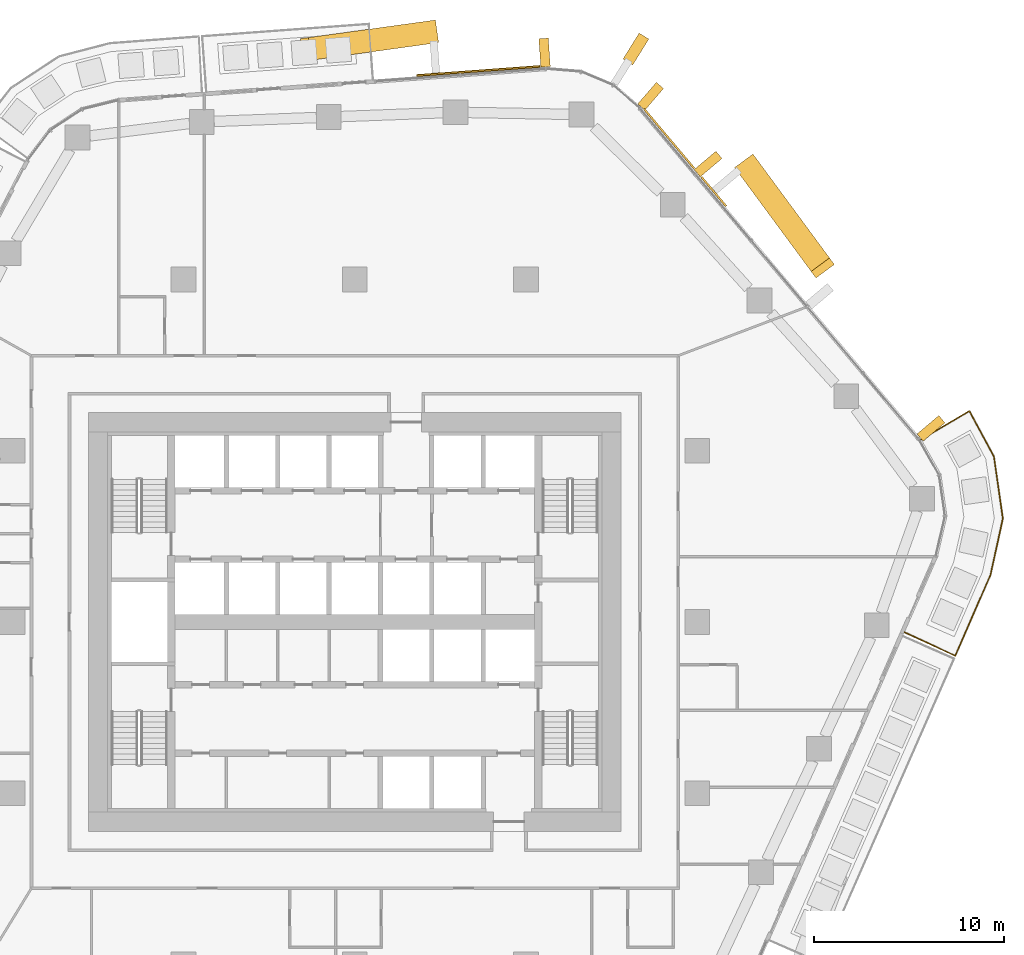
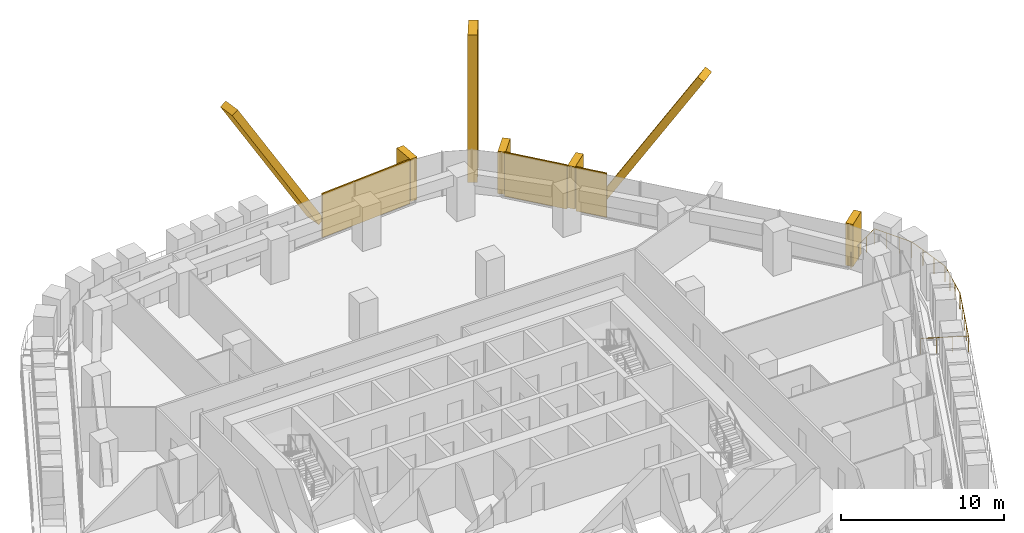
# One storey, part 24 of 24: 10 coverings, 1 railing, 3 elements without a shape of their own.
"""IFC4 building model written with IfcOpenShell, lengths in metres."""

from ifc_helpers import new_model, si_unit, direction, frame, origin, origin_2d, place, context, subcontext, project, spatial, rectangle, circle, extrude, material, layer, layer_set, material_profile, profile_set, type_object, element, aggregate, save


model = new_model("IFC4")

# Units and contexts
model_context = context("Model", 3, precision=1e-05, world=origin(), true_north=direction((0.0, 1.0)))
body_context = subcontext(model_context, "Body", "Model", "MODEL_VIEW")
ifc_project = project(units=[si_unit("LENGTHUNIT", "METRE"), si_unit("AREAUNIT", "SQUARE_METRE"), si_unit("VOLUMEUNIT", "CUBIC_METRE"), si_unit("PLANEANGLEUNIT", "RADIAN"), si_unit("MASSUNIT", "GRAM", prefix="KILO")], contexts=[model_context])

# Site, building, storey
site_placement = place(None, origin())
site = spatial("IfcSite", under=ifc_project, at=site_placement, CompositionType="ELEMENT")
building_placement = place(site_placement, origin())
building = spatial("IfcBuilding", under=site, at=building_placement, Name="Dongbaek Canopy Tower", CompositionType="ELEMENT")
storey_placement = place(building_placement, frame((0.0, 0.0, 128.5)))
storey = spatial("IfcBuildingStorey", under=building, at=storey_placement, Name="L28", CompositionType="ELEMENT", Elevation=128.5)

# Railing
ifc_material_1 = material(Name="Stainless steel", Category="steel")
railing_type = type_object("IfcRailingType", Name="Balcony balustrade 1200", PredefinedType="BALUSTRADE", material=ifc_material_1)
railing_placement = place(storey_placement, frame((28.8955078125, -0.53857421875, 0.0)))
element("IfcRailing", 1, at=railing_placement, inside=storey, type_object=railing_type, Name="Balcony guard L28 5", PredefinedType="BALUSTRADE", context=body_context, shape_type="SweptSolid", body=[
    extrude(circle(Radius=0.02392578125, at=origin_2d()), frame((0.0, 0.0, 1.17578125), z_axis=(0.907160676166, -0.420784395644, 0.0), x_axis=(0.420784395644, 0.907160676166, 0.0)), (0.0, 0.0, 1.0), 2.9404296875),
    extrude(circle(Radius=0.02392578125, at=origin_2d()), frame((2.66748046875, -1.2373046875, 1.17578125), z_axis=(0.399681748589, 0.916653969524, 0.0), x_axis=(-0.916653969524, 0.399681748589, 0.0)), (0.0, 0.0, 1.0), 4.641845703125),
    extrude(circle(Radius=0.02392578125, at=origin_2d()), frame((4.522705078125, 3.017578125, 1.17578125), z_axis=(0.214013832372, 0.976830629922, 0.0), x_axis=(-0.976830629922, 0.214013832372, 0.0)), (0.0, 0.0, 1.0), 3.0322265625),
    extrude(circle(Radius=0.02392578125, at=origin_2d()), frame((5.171630859375, 5.9794921875, 1.17578125), z_axis=(-0.142911676754, 0.989735445787, 0.0), x_axis=(-0.989735445787, -0.142911676754, 0.0)), (0.0, 0.0, 1.0), 3.30224609375),
    extrude(circle(Radius=0.02392578125, at=origin_2d()), frame((4.69970703125, 9.247802734375, 1.17578125), z_axis=(-0.476059650278, 0.879412991363, 0.0), x_axis=(-0.879412991363, -0.476059650278, 0.0)), (0.0, 0.0, 1.0), 2.709716796875),
    extrude(circle(Radius=0.02392578125, at=origin_2d()), frame((3.40966796875, 11.630859375, 1.17578125), z_axis=(-0.86011886379, -0.510093658217, 0.0), x_axis=(0.510093658217, -0.86011886379, 0.0)), (0.0, 0.0, 1.0), 2.940673828125),
    extrude(circle(Radius=0.02099609375, at=origin_2d()), origin(), (0.0, 0.0, 1.0), 1.15185546875),
    extrude(circle(Radius=0.02099609375, at=origin_2d()), frame((0.88916015625, -0.412353515625, 0.0)), (0.0, 0.0, 1.0), 1.15185546875),
    extrude(circle(Radius=0.02099609375, at=origin_2d()), frame((1.7783203125, -0.824951171875, 0.0)), (0.0, 0.0, 1.0), 1.15185546875),
    extrude(circle(Radius=0.02099609375, at=origin_2d()), frame((2.66748046875, -1.2373046875, 0.0)), (0.0, 0.0, 1.0), 1.15185546875),
    extrude(circle(Radius=0.02099609375, at=origin_2d()), frame((3.13134765625, -0.173583984375, 0.0)), (0.0, 0.0, 1.0), 1.15185546875),
    extrude(circle(Radius=0.02099609375, at=origin_2d()), frame((3.59521484375, 0.89013671875, 0.0)), (0.0, 0.0, 1.0), 1.15185546875),
    extrude(circle(Radius=0.02099609375, at=origin_2d()), frame((4.058837890625, 1.953857421875, 0.0)), (0.0, 0.0, 1.0), 1.15185546875),
    extrude(circle(Radius=0.02099609375, at=origin_2d()), frame((4.522705078125, 3.017578125, 0.0)), (0.0, 0.0, 1.0), 1.15185546875),
    extrude(circle(Radius=0.02099609375, at=origin_2d()), frame((4.739013671875, 4.0048828125, 0.0)), (0.0, 0.0, 1.0), 1.15185546875),
    extrude(circle(Radius=0.02099609375, at=origin_2d()), frame((4.955322265625, 4.9921875, 0.0)), (0.0, 0.0, 1.0), 1.15185546875),
    extrude(circle(Radius=0.02099609375, at=origin_2d()), frame((5.171630859375, 5.9794921875, 0.0)), (0.0, 0.0, 1.0), 1.15185546875),
    extrude(circle(Radius=0.02099609375, at=origin_2d()), frame((5.014404296875, 7.06884765625, 0.0)), (0.0, 0.0, 1.0), 1.15185546875),
    extrude(circle(Radius=0.02099609375, at=origin_2d()), frame((4.85693359375, 8.158447265625, 0.0)), (0.0, 0.0, 1.0), 1.15185546875),
    extrude(circle(Radius=0.02099609375, at=origin_2d()), frame((4.69970703125, 9.247802734375, 0.0)), (0.0, 0.0, 1.0), 1.15185546875),
    extrude(circle(Radius=0.02099609375, at=origin_2d()), frame((4.269775390625, 10.042236328125, 0.0)), (0.0, 0.0, 1.0), 1.15185546875),
    extrude(circle(Radius=0.02099609375, at=origin_2d()), frame((3.839599609375, 10.83642578125, 0.0)), (0.0, 0.0, 1.0), 1.15185546875),
    extrude(circle(Radius=0.02099609375, at=origin_2d()), frame((3.40966796875, 11.630859375, 0.0)), (0.0, 0.0, 1.0), 1.15185546875),
    extrude(circle(Radius=0.02099609375, at=origin_2d()), frame((2.566650390625, 11.130859375, 0.0)), (0.0, 0.0, 1.0), 1.15185546875),
    extrude(circle(Radius=0.02099609375, at=origin_2d()), frame((1.723388671875, 10.630859375, 0.0)), (0.0, 0.0, 1.0), 1.15185546875),
    extrude(circle(Radius=0.02099609375, at=origin_2d()), frame((0.88037109375, 10.130859375, 0.0)), (0.0, 0.0, 1.0), 1.15185546875),
])

# Curtain wall, covering
ifc_material_2 = material(Name="Aluminium 6063-T6 pale anodised", Category="aluminium")
ifc_layer_1 = layer(ifc_material_2, 0.199951171875)
ifc_layer_set_1 = layer_set([ifc_layer_1], Name="CW-1 unitised tower curtain wall")
curtain_wall_type = type_object("IfcCurtainWallType", Name="CW-1 unitised tower curtain wall", PredefinedType="NOTDEFINED", material=ifc_layer_set_1)
curtain_wall_1_placement = place(storey_placement, origin())
curtain_wall_1 = element("IfcCurtainWall", 2, at=curtain_wall_1_placement, inside=storey, type_object=curtain_wall_type, Name="CW-1 curtain wall K1.1", PredefinedType="NOTDEFINED")
ifc_material_3 = material(Name="Aluminium 6063-T6 pale metal fin", Category="aluminium")
ifc_material_profile_1 = material_profile(ifc_material_3, rectangle(XDim=1.60009765625, YDim=0.60009765625, at=origin_2d()), Name="Corner fin CN1 600 x 1600 pale metal")
ifc_profile_set_1 = profile_set([ifc_material_profile_1], Name="Aluminium 6063-T6 pale metal fin")
covering_type_1 = type_object("IfcCoveringType", Name="Corner fin CN1 600 x 1600 pale metal", PredefinedType="CLADDING", material=ifc_profile_set_1)
covering_1_placement = place(storey_placement, frame((14.778564453125, 30.121337890625, -0.199951171875), z_axis=(0.0, 0.0, 1.0), x_axis=(0.527440762672, 0.849591808972, 0.0)))
covering_1 = element("IfcCovering", 3, at=covering_1_placement, type_object=covering_type_1, Name="Corner fin L28 L30 K1", PredefinedType="CLADDING", context=body_context, shape_type="SweptSolid", body=[
    extrude(rectangle(XDim=1.60009765625, YDim=0.60009765625, at=origin_2d()), origin(), (0.0, 0.0, 1.0), 11.079833984375),
])

curtain_wall_2_placement = place(storey_placement, origin())
curtain_wall_2 = element("IfcCurtainWall", 4, at=curtain_wall_2_placement, inside=storey, type_object=curtain_wall_type, Name="CW-1 curtain wall F0.1", PredefinedType="NOTDEFINED")
ifc_material_4 = material(Name="Aluminium 6063-T6 pale metal fin", Category="aluminium")
ifc_material_profile_2 = material_profile(ifc_material_4, rectangle(XDim=1.199951171875, YDim=0.5, at=origin_2d()), Name="Crease fin CF1 500 x 1200 pale metal")
ifc_profile_set_2 = profile_set([ifc_material_profile_2], Name="Aluminium 6063-T6 pale metal fin")
covering_type_2 = type_object("IfcCoveringType", Name="Crease fin CF1 500 x 1200 pale metal", PredefinedType="CLADDING", material=ifc_profile_set_2)
covering_2_placement = place(storey_placement, frame((20.572998046875, 24.072265625, -0.199951171875), z_axis=(0.30946428985, -0.419794220719, 0.853231894363), x_axis=(0.804925577919, 0.59337577808, 0.0)))
covering_2 = element("IfcCovering", 5, at=covering_2_placement, type_object=covering_type_2, Name="Crease fin L28 L31 F0", PredefinedType="CLADDING", context=body_context, shape_type="SweptSolid", body=[
    extrude(rectangle(XDim=1.199951171875, YDim=0.5, at=origin_2d()), origin(), (0.0, 0.0, 1.0), 13.00927734375),
])

curtain_wall_3_placement = place(storey_placement, origin())
curtain_wall_3 = element("IfcCurtainWall", 6, at=curtain_wall_3_placement, inside=storey, type_object=curtain_wall_type, Name="CW-1 curtain wall F1.1", PredefinedType="NOTDEFINED")
covering_3_placement = place(storey_placement, frame((4.10986328125, 31.022216796875, -0.199951171875), z_axis=(-0.513923696253, -0.071169368883, 0.854878561764), x_axis=(0.137173300043, -0.990547063877, 0.0)))
covering_3 = element("IfcCovering", 7, at=covering_3_placement, type_object=covering_type_2, Name="Crease fin L28 L31 F1", PredefinedType="CLADDING", context=body_context, shape_type="SweptSolid", body=[
    extrude(rectangle(XDim=1.199951171875, YDim=0.5, at=origin_2d()), origin(), (0.0, 0.0, 1.0), 12.984130859375),
])

# Covering
ifc_material_5 = material(Name="Perforated aluminium 6063-T6 pale metal screen", Category="aluminium")
ifc_layer_2 = layer(ifc_material_5, 0.10009765625)
ifc_layer_set_2 = layer_set([ifc_layer_2], Name="Facet screen FS1 100 pale metal")
covering_type_3 = type_object("IfcCoveringType", Name="Facet screen FS1 100 pale metal", PredefinedType="CLADDING", material=ifc_layer_set_2)
covering_4_placement = place(storey_placement, frame((18.87060546875, 22.6259765625, 0.0), z_axis=(0.0, 0.0, 1.0), x_axis=(-0.644696181183, 0.764438901396, 0.0)))
covering_4 = element("IfcCovering", 8, at=covering_4_placement, type_object=covering_type_3, Name="Facet screen L28 F0", PredefinedType="CLADDING", context=body_context, shape_type="SweptSolid", body=[
    extrude(rectangle(XDim=2.019287109375, YDim=0.10009765625, at=origin_2d()), origin(), (0.0, 0.0, 1.0), 3.300048828125),
])

covering_5_placement = place(storey_placement, frame((16.52685546875, 25.405029296875, 0.0), z_axis=(0.0, 0.0, 1.0), x_axis=(-0.644696181183, 0.764438901396, 0.0)))
covering_5 = element("IfcCovering", 9, at=covering_5_placement, type_object=covering_type_3, Name="Facet screen L28 F0", PredefinedType="CLADDING", context=body_context, shape_type="SweptSolid", body=[
    extrude(rectangle(XDim=4.091796875, YDim=0.10009765625, at=origin_2d()), origin(), (0.0, 0.0, 1.0), 3.300048828125),
])

covering_6_placement = place(storey_placement, frame((6.500732421875, 28.96630859375, 0.0), z_axis=(0.0, 0.0, 1.0), x_axis=(-0.997293858063, -0.073518437616, 0.0)))
covering_6 = element("IfcCovering", 10, at=covering_6_placement, type_object=covering_type_3, Name="Facet screen L28 F1", PredefinedType="CLADDING", context=body_context, shape_type="SweptSolid", body=[
    extrude(rectangle(XDim=6.49267578125, YDim=0.10009765625, at=origin_2d()), origin(), (0.0, 0.0, 1.0), 3.300048828125),
])

ifc_material_6 = material(Name="Aluminium 6063-T6 pale metal fin", Category="aluminium")
ifc_material_profile_3 = material_profile(ifc_material_6, rectangle(XDim=1.5, YDim=0.5, at=origin_2d()), Name="Fin FN1 500 x 1500 pale metal")
ifc_profile_set_3 = profile_set([ifc_material_profile_3], Name="Aluminium 6063-T6 pale metal fin")
covering_type_4 = type_object("IfcCoveringType", Name="Fin FN1 500 x 1500 pale metal", PredefinedType="CLADDING", material=ifc_profile_set_3)
covering_7_placement = place(storey_placement, frame((30.2890625, 10.1787109375, 0.1201171875), z_axis=(0.0, 0.0, 1.0), x_axis=(0.764439348936, 0.644695650519, 0.0)))
covering_7 = element("IfcCovering", 11, at=covering_7_placement, type_object=covering_type_4, Name="Fin F0.1.1", PredefinedType="CLADDING", context=body_context, shape_type="SweptSolid", body=[
    extrude(rectangle(XDim=1.5, YDim=0.5, at=origin_2d()), origin(), (0.0, 0.0, 1.0), 3.179931640625),
])

covering_8_placement = place(storey_placement, frame((18.57080078125, 24.073486328125, 0.1201171875), z_axis=(0.0, 0.0, 1.0), x_axis=(0.764439348936, 0.644695650519, 0.0)))
covering_8 = element("IfcCovering", 12, at=covering_8_placement, type_object=covering_type_4, Name="Fin F0.1.5", PredefinedType="CLADDING", context=body_context, shape_type="SweptSolid", body=[
    extrude(rectangle(XDim=1.5, YDim=0.5, at=origin_2d()), origin(), (0.0, 0.0, 1.0), 3.179931640625),
])

aggregate(curtain_wall_2, [covering_7, covering_8, covering_2, covering_4, covering_5])

covering_9_placement = place(storey_placement, frame((15.551025390625, 27.637939453125, 0.1201171875), z_axis=(0.0, 0.0, 1.0), x_axis=(0.654013971829, 0.756482468173, 0.0)))
covering_9 = element("IfcCovering", 13, at=covering_9_placement, type_object=covering_type_4, Name="Fin K1.1.1", PredefinedType="CLADDING", context=body_context, shape_type="SweptSolid", body=[
    extrude(rectangle(XDim=1.5, YDim=0.5, at=origin_2d()), origin(), (0.0, 0.0, 1.0), 3.179931640625),
])

aggregate(curtain_wall_1, [covering_9, covering_1])

covering_10_placement = place(storey_placement, frame((9.9755859375, 29.92822265625, 0.1201171875), z_axis=(0.0, 0.0, 1.0), x_axis=(-0.073519152761, 0.997293805344, 0.0)))
covering_10 = element("IfcCovering", 14, at=covering_10_placement, type_object=covering_type_4, Name="Fin F1.1.1", PredefinedType="CLADDING", context=body_context, shape_type="SweptSolid", body=[
    extrude(rectangle(XDim=1.5, YDim=0.5, at=origin_2d()), origin(), (0.0, 0.0, 1.0), 3.179931640625),
])

aggregate(curtain_wall_3, [covering_10, covering_3, covering_6])

save(model, "model.ifc")
